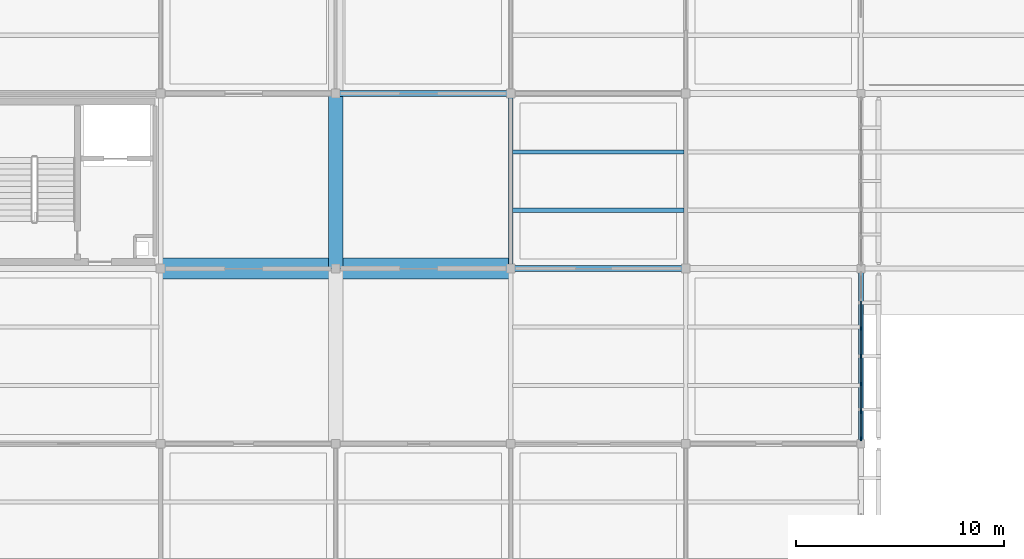
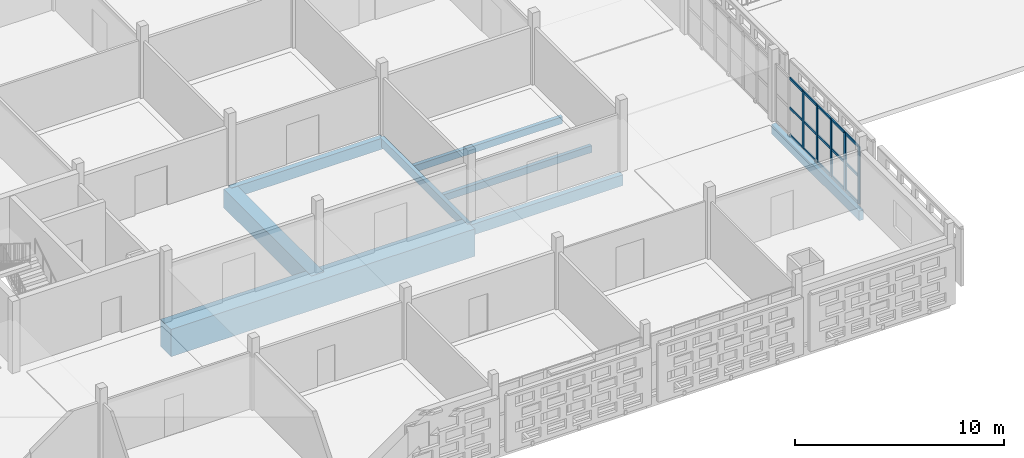
# One storey, part 20 of 166: 20 members, 8 beams, 1 element without a shape of its own.
"""IFC4 building model written with IfcOpenShell, lengths in metres."""

from ifc_helpers import new_model, si_unit, direction, frame, origin, origin_2d, place, context, subcontext, project, spatial, rectangle, extrude, material, layer, layer_set, material_profile, profile_set, type_object, element, aggregate, save


model = new_model("IFC4")

# Units and contexts
model_context = context("Model", 3, precision=1e-05, world=origin(), true_north=direction((0.0, 1.0)))
body_context = subcontext(model_context, "Body", "Model", "MODEL_VIEW")
ifc_project = project(units=[si_unit("LENGTHUNIT", "METRE"), si_unit("AREAUNIT", "SQUARE_METRE"), si_unit("VOLUMEUNIT", "CUBIC_METRE"), si_unit("PLANEANGLEUNIT", "RADIAN"), si_unit("MASSUNIT", "GRAM", prefix="KILO")], contexts=[model_context])

# Site, building, storey
site_placement = place(None, origin())
site = spatial("IfcSite", under=ifc_project, at=site_placement, CompositionType="ELEMENT")
building_placement = place(site_placement, origin())
building = spatial("IfcBuilding", under=site, at=building_placement, Name="Varnapada Polytechnic", CompositionType="ELEMENT")
storey_placement = place(building_placement, frame((0.0, 0.0, 9.60009765625)))
storey = spatial("IfcBuildingStorey", under=building, at=storey_placement, Name="L02", CompositionType="ELEMENT", Elevation=9.60009765625)

# Beams
ifc_material_1 = material(Name="Concrete C40/50", Category="concrete")
ifc_material_profile_1 = material_profile(ifc_material_1, rectangle(XDim=0.699951171875, YDim=1.10009765625, at=origin_2d()), Name="RC 700x1100")
ifc_profile_set_1 = profile_set([ifc_material_profile_1], Name="Concrete C40/50")
beam_type_1 = type_object("IfcBeamType", Name="Heavy podium primary girder BG-01 (RC 700x1100)", PredefinedType="T_BEAM", material=ifc_profile_set_1)
beam_1_placement = place(storey_placement, frame((33.60009765625, 16.800048828125, -0.800048828125), z_axis=(0.0, 1.0, 0.0), x_axis=(-1.0, 0.0, 0.0)))
element("IfcBeam", 1, at=beam_1_placement, inside=storey, type_object=beam_type_1, Name="L02 Lecture transfer tie Y3-4", PredefinedType="T_BEAM", context=body_context, shape_type="SweptSolid", body=[
    extrude(rectangle(XDim=0.699951171875, YDim=1.10009765625, at=origin_2d()), origin(), (0.0, 0.0, 1.0), 8.39990234375),
])
ifc_material_2 = material(Name="Glulam GL32h", Category="wood")
ifc_material_profile_2 = material_profile(ifc_material_2, rectangle(XDim=0.280029296875, YDim=0.639892578125, at=origin_2d()), Name="GL 280x640")
ifc_profile_set_2 = profile_set([ifc_material_profile_2], Name="Glulam GL32h")
beam_type_2 = type_object("IfcBeamType", Name="Laboratory primary glulam girder GG-02 (GL 280x640)", PredefinedType="BEAM", material=ifc_profile_set_2)
for number, where, z_axis, x_axis, name in (
    (2, (33.60009765625, 25.199951171875, -0.56005859375), (1.0, 0.0, 0.0), (0.0, 1.0, 0.0), "L02 beam X 5-6 at Y4"),
    (3, (42.0, 16.800048828125, -0.56005859375), (1.0, 0.0, 0.0), (0.0, 1.0, 0.0), "L02 beam X 6-7 at Y3"),
):
    element("IfcBeam", number, at=place(storey_placement, frame(where, z_axis=z_axis, x_axis=x_axis)), inside=storey, type_object=beam_type_2, Name=name, PredefinedType="BEAM", context=body_context, shape_type="SweptSolid", body=[
        extrude(rectangle(XDim=0.280029296875, YDim=0.639892578125, at=origin_2d()), origin(), (0.0, 0.0, 1.0), 8.39990234375),
    ])
ifc_material_profile_3 = material_profile(ifc_material_2, rectangle(XDim=0.219970703125, YDim=0.52001953125, at=origin_2d()), Name="GL 220x520")
ifc_profile_set_3 = profile_set([ifc_material_profile_3], Name="Glulam GL32h")
beam_type_3 = type_object("IfcBeamType", Name="Laboratory transverse glulam beam GB-12 (GL 220x520)", PredefinedType="BEAM", material=ifc_profile_set_3)
beam_2_placement = place(storey_placement, frame((42.0, 16.800048828125, -0.5), z_axis=(0.0, 1.0, 0.0), x_axis=(-1.0, 0.0, 0.0)))
element("IfcBeam", 4, at=beam_2_placement, inside=storey, type_object=beam_type_3, Name="L02 beam Y 3-4 at X6", PredefinedType="BEAM", context=body_context, shape_type="SweptSolid", body=[
    extrude(rectangle(XDim=0.219970703125, YDim=0.52001953125, at=origin_2d()), origin(), (0.0, 0.0, 1.0), 8.39990234375),
])
ifc_material_profile_4 = material_profile(ifc_material_1, rectangle(XDim=1.0, YDim=1.60009765625, at=origin_2d()), Name="RC 1000x1600")
ifc_profile_set_4 = profile_set([ifc_material_profile_4], Name="Concrete C40/50")
beam_type_4 = type_object("IfcBeamType", Name="Lecture theatre transfer girder TG-01 (RC 1000x1600)", PredefinedType="T_BEAM", material=ifc_profile_set_4)
beam_3_placement = place(storey_placement, frame((25.199951171875, 16.800048828125, -1.050048828125), z_axis=(1.0, 0.0, 0.0), x_axis=(0.0, 1.0, 0.0)))
element("IfcBeam", 5, at=beam_3_placement, inside=storey, type_object=beam_type_4, Name="L02 Lecture transfer girder X4-6 at Y3", PredefinedType="T_BEAM", context=body_context, shape_type="SweptSolid", body=[
    extrude(rectangle(XDim=1.0, YDim=1.60009765625, at=origin_2d()), origin(), (0.0, 0.0, 1.0), 16.800048828125),
])
ifc_material_profile_5 = material_profile(ifc_material_2, rectangle(XDim=0.199951171875, YDim=0.39990234375, at=origin_2d()), Name="GL 200x400")
ifc_profile_set_5 = profile_set([ifc_material_profile_5], Name="Glulam GL32h")
beam_type_5 = type_object("IfcBeamType", Name="Library/laboratory glulam floor joist GJ-01 (GL 200x400)", PredefinedType="JOIST", material=ifc_profile_set_5)
for number, where, z_axis, x_axis, name in (
    (6, (42.080078125, 19.60009765625, -0.440185546875), (1.0, 0.0, 0.0), (0.0, 1.0, 0.0), "L02 floor joist 6/3.1"),
    (7, (42.080078125, 22.39990234375, -0.440185546875), (1.0, 0.0, 0.0), (0.0, 1.0, 0.0), "L02 floor joist 6/3.2"),
):
    element("IfcBeam", number, at=place(storey_placement, frame(where, z_axis=z_axis, x_axis=x_axis)), inside=storey, type_object=beam_type_5, Name=name, PredefinedType="JOIST", context=body_context, shape_type="SweptSolid", body=[
        extrude(rectangle(XDim=0.199951171875, YDim=0.39990234375, at=origin_2d()), origin(), (0.0, 0.0, 1.0), 8.239990234375),
    ])

# Curtain wall, members
ifc_material_3 = material(Name="Double low-E laminated glass", Category="glass")
ifc_layer = layer(ifc_material_3, 0.179931640625)
ifc_layer_set = layer_set([ifc_layer], Name="Double low-E laminated glass")
curtain_wall_type = type_object("IfcCurtainWallType", Name="Curtain Wall CW-04", PredefinedType="NOTDEFINED", material=ifc_layer_set)
curtain_wall_placement = place(storey_placement, origin())
curtain_wall = element("IfcCurtainWall", 8, at=curtain_wall_placement, inside=storey, type_object=curtain_wall_type, Name="L02 unitised curtain wall CW-04 (155)", PredefinedType="NOTDEFINED")
ifc_material_4 = material(Name="Anodised aluminium", Category="aluminium")
ifc_material_profile_6 = material_profile(ifc_material_4, rectangle(XDim=0.06494140625, YDim=0.179931640625, at=origin_2d()), Name="ALU M65x180")
ifc_profile_set_6 = profile_set([ifc_material_profile_6], Name="Anodised aluminium")
member_type_1 = type_object("IfcMemberType", Name="Mullion M-02", PredefinedType="MULLION", material=ifc_profile_set_6)
member_1_placement = place(storey_placement, frame((58.800048828125, 13.933349609375, 0.0), z_axis=(0.0, 0.0, 1.0), x_axis=(1.0, 0.0, 0.0)))
member_1 = element("IfcMember", 9, at=member_1_placement, type_object=member_type_1, Name="CW-04 mullion 3", PredefinedType="MULLION", context=body_context, shape_type="SweptSolid", body=[
    extrude(rectangle(XDim=0.06494140625, YDim=0.179931640625, at=origin_2d()), origin(), (0.0, 0.0, 1.0), 3.35986328125),
])
member_2_placement = place(storey_placement, frame((58.800048828125, 12.60009765625, 0.0), z_axis=(0.0, 0.0, 1.0), x_axis=(1.0, 0.0, 0.0)))
member_2 = element("IfcMember", 10, at=member_2_placement, type_object=member_type_1, Name="CW-04 mullion 4", PredefinedType="MULLION", context=body_context, shape_type="SweptSolid", body=[
    extrude(rectangle(XDim=0.06494140625, YDim=0.179931640625, at=origin_2d()), origin(), (0.0, 0.0, 1.0), 3.35986328125),
])
member_3_placement = place(storey_placement, frame((58.800048828125, 11.2666015625, 0.0), z_axis=(0.0, 0.0, 1.0), x_axis=(1.0, 0.0, 0.0)))
member_3 = element("IfcMember", 11, at=member_3_placement, type_object=member_type_1, Name="CW-04 mullion 5", PredefinedType="MULLION", context=body_context, shape_type="SweptSolid", body=[
    extrude(rectangle(XDim=0.06494140625, YDim=0.179931640625, at=origin_2d()), origin(), (0.0, 0.0, 1.0), 3.35986328125),
])
member_4_placement = place(storey_placement, frame((58.800048828125, 9.933349609375, 0.0), z_axis=(0.0, 0.0, 1.0), x_axis=(1.0, 0.0, 0.0)))
member_4 = element("IfcMember", 12, at=member_4_placement, type_object=member_type_1, Name="CW-04 mullion 6", PredefinedType="MULLION", context=body_context, shape_type="SweptSolid", body=[
    extrude(rectangle(XDim=0.06494140625, YDim=0.179931640625, at=origin_2d()), origin(), (0.0, 0.0, 1.0), 3.35986328125),
])
member_5_placement = place(storey_placement, frame((58.800048828125, 8.632568359375, 0.0), z_axis=(0.0, 0.0, 1.0), x_axis=(1.0, 0.0, 0.0)))
member_5 = element("IfcMember", 13, at=member_5_placement, type_object=member_type_1, Name="CW-04 mullion 7", PredefinedType="MULLION", context=body_context, shape_type="SweptSolid", body=[
    extrude(rectangle(XDim=0.06494140625, YDim=0.179931640625, at=origin_2d()), origin(), (0.0, 0.0, 1.0), 3.35986328125),
])

# Beam
ifc_material_profile_7 = material_profile(ifc_material_2, rectangle(XDim=0.239990234375, YDim=0.56005859375, at=origin_2d()), Name="GL 240x560")
ifc_profile_set_7 = profile_set([ifc_material_profile_7], Name="Glulam GL32h")
beam_type_6 = type_object("IfcBeamType", Name="Perimeter glulam spandrel beam SP-02 (GL 240x560)", PredefinedType="SPANDREL", material=ifc_profile_set_7)
beam_4_placement = place(storey_placement, frame((58.800048828125, 8.39990234375, -0.550048828125), z_axis=(0.0, 1.0, 0.0), x_axis=(-1.0, 0.0, 0.0)))
element("IfcBeam", 14, at=beam_4_placement, inside=storey, type_object=beam_type_6, Name="L02 beam Y 2-3 at X8", PredefinedType="SPANDREL", context=body_context, shape_type="SweptSolid", body=[
    extrude(rectangle(XDim=0.239990234375, YDim=0.56005859375, at=origin_2d()), origin(), (0.0, 0.0, 1.0), 8.400146484375),
])

# Member
ifc_material_profile_8 = material_profile(ifc_material_4, rectangle(XDim=0.06494140625, YDim=0.139892578125, at=origin_2d()), Name="ALU T65x140")
ifc_profile_set_8 = profile_set([ifc_material_profile_8], Name="Anodised aluminium")
member_type_2 = type_object("IfcMemberType", Name="Transom T-02", PredefinedType="USERDEFINED", material=ifc_profile_set_8)
member_6_placement = place(storey_placement, frame((58.800048828125, 15.234130859375, 0.032470703125), z_axis=(0.0, -1.0, 0.0), x_axis=(1.0, 0.0, 0.0)))
member_6 = element("IfcMember", 15, at=member_6_placement, type_object=member_type_2, Name="CW-04 transom 2.1", ObjectType="TRANSOM", PredefinedType="USERDEFINED", context=body_context, shape_type="SweptSolid", body=[
    extrude(rectangle(XDim=0.06494140625, YDim=0.139892578125, at=origin_2d()), origin(), (0.0, 0.0, 1.0), 1.268310546875),
])

member_7_placement = place(storey_placement, frame((58.800048828125, 15.234130859375, 1.61279296875), z_axis=(0.0, -1.0, 0.0), x_axis=(1.0, 0.0, 0.0)))
member_7 = element("IfcMember", 16, at=member_7_placement, type_object=member_type_2, Name="CW-04 transom 2.2", ObjectType="TRANSOM", PredefinedType="USERDEFINED", context=body_context, shape_type="SweptSolid", body=[
    extrude(rectangle(XDim=0.06494140625, YDim=0.139892578125, at=origin_2d()), origin(), (0.0, 0.0, 1.0), 1.268310546875),
])

member_8_placement = place(storey_placement, frame((58.800048828125, 15.234130859375, 3.327392578125), z_axis=(0.0, -1.0, 0.0), x_axis=(1.0, 0.0, 0.0)))
member_8 = element("IfcMember", 17, at=member_8_placement, type_object=member_type_2, Name="CW-04 transom 2.3", ObjectType="TRANSOM", PredefinedType="USERDEFINED", context=body_context, shape_type="SweptSolid", body=[
    extrude(rectangle(XDim=0.06494140625, YDim=0.139892578125, at=origin_2d()), origin(), (0.0, 0.0, 1.0), 1.268310546875),
])

member_9_placement = place(storey_placement, frame((58.800048828125, 13.90087890625, 0.032470703125), z_axis=(0.0, -1.0, 0.0), x_axis=(1.0, 0.0, 0.0)))
member_9 = element("IfcMember", 18, at=member_9_placement, type_object=member_type_2, Name="CW-04 transom 3.1", ObjectType="TRANSOM", PredefinedType="USERDEFINED", context=body_context, shape_type="SweptSolid", body=[
    extrude(rectangle(XDim=0.06494140625, YDim=0.139892578125, at=origin_2d()), origin(), (0.0, 0.0, 1.0), 1.268310546875),
])

member_10_placement = place(storey_placement, frame((58.800048828125, 13.90087890625, 1.61279296875), z_axis=(0.0, -1.0, 0.0), x_axis=(1.0, 0.0, 0.0)))
member_10 = element("IfcMember", 19, at=member_10_placement, type_object=member_type_2, Name="CW-04 transom 3.2", ObjectType="TRANSOM", PredefinedType="USERDEFINED", context=body_context, shape_type="SweptSolid", body=[
    extrude(rectangle(XDim=0.06494140625, YDim=0.139892578125, at=origin_2d()), origin(), (0.0, 0.0, 1.0), 1.268310546875),
])

member_11_placement = place(storey_placement, frame((58.800048828125, 13.90087890625, 3.327392578125), z_axis=(0.0, -1.0, 0.0), x_axis=(1.0, 0.0, 0.0)))
member_11 = element("IfcMember", 20, at=member_11_placement, type_object=member_type_2, Name="CW-04 transom 3.3", ObjectType="TRANSOM", PredefinedType="USERDEFINED", context=body_context, shape_type="SweptSolid", body=[
    extrude(rectangle(XDim=0.06494140625, YDim=0.139892578125, at=origin_2d()), origin(), (0.0, 0.0, 1.0), 1.268310546875),
])

member_12_placement = place(storey_placement, frame((58.800048828125, 12.5673828125, 0.032470703125), z_axis=(0.0, -1.0, 0.0), x_axis=(1.0, 0.0, 0.0)))
member_12 = element("IfcMember", 21, at=member_12_placement, type_object=member_type_2, Name="CW-04 transom 4.1", ObjectType="TRANSOM", PredefinedType="USERDEFINED", context=body_context, shape_type="SweptSolid", body=[
    extrude(rectangle(XDim=0.06494140625, YDim=0.139892578125, at=origin_2d()), origin(), (0.0, 0.0, 1.0), 1.268310546875),
])

member_13_placement = place(storey_placement, frame((58.800048828125, 12.5673828125, 1.61279296875), z_axis=(0.0, -1.0, 0.0), x_axis=(1.0, 0.0, 0.0)))
member_13 = element("IfcMember", 22, at=member_13_placement, type_object=member_type_2, Name="CW-04 transom 4.2", ObjectType="TRANSOM", PredefinedType="USERDEFINED", context=body_context, shape_type="SweptSolid", body=[
    extrude(rectangle(XDim=0.06494140625, YDim=0.139892578125, at=origin_2d()), origin(), (0.0, 0.0, 1.0), 1.268310546875),
])

member_14_placement = place(storey_placement, frame((58.800048828125, 12.5673828125, 3.327392578125), z_axis=(0.0, -1.0, 0.0), x_axis=(1.0, 0.0, 0.0)))
member_14 = element("IfcMember", 23, at=member_14_placement, type_object=member_type_2, Name="CW-04 transom 4.3", ObjectType="TRANSOM", PredefinedType="USERDEFINED", context=body_context, shape_type="SweptSolid", body=[
    extrude(rectangle(XDim=0.06494140625, YDim=0.139892578125, at=origin_2d()), origin(), (0.0, 0.0, 1.0), 1.268310546875),
])

member_15_placement = place(storey_placement, frame((58.800048828125, 11.234130859375, 0.032470703125), z_axis=(0.0, -1.0, 0.0), x_axis=(1.0, 0.0, 0.0)))
member_15 = element("IfcMember", 24, at=member_15_placement, type_object=member_type_2, Name="CW-04 transom 5.1", ObjectType="TRANSOM", PredefinedType="USERDEFINED", context=body_context, shape_type="SweptSolid", body=[
    extrude(rectangle(XDim=0.06494140625, YDim=0.139892578125, at=origin_2d()), origin(), (0.0, 0.0, 1.0), 1.268310546875),
])

member_16_placement = place(storey_placement, frame((58.800048828125, 11.234130859375, 1.61279296875), z_axis=(0.0, -1.0, 0.0), x_axis=(1.0, 0.0, 0.0)))
member_16 = element("IfcMember", 25, at=member_16_placement, type_object=member_type_2, Name="CW-04 transom 5.2", ObjectType="TRANSOM", PredefinedType="USERDEFINED", context=body_context, shape_type="SweptSolid", body=[
    extrude(rectangle(XDim=0.06494140625, YDim=0.139892578125, at=origin_2d()), origin(), (0.0, 0.0, 1.0), 1.268310546875),
])

member_17_placement = place(storey_placement, frame((58.800048828125, 11.234130859375, 3.327392578125), z_axis=(0.0, -1.0, 0.0), x_axis=(1.0, 0.0, 0.0)))
member_17 = element("IfcMember", 26, at=member_17_placement, type_object=member_type_2, Name="CW-04 transom 5.3", ObjectType="TRANSOM", PredefinedType="USERDEFINED", context=body_context, shape_type="SweptSolid", body=[
    extrude(rectangle(XDim=0.06494140625, YDim=0.139892578125, at=origin_2d()), origin(), (0.0, 0.0, 1.0), 1.268310546875),
])

member_18_placement = place(storey_placement, frame((58.800048828125, 9.90087890625, 0.032470703125), z_axis=(0.0, -1.0, 0.0), x_axis=(1.0, 0.0, 0.0)))
member_18 = element("IfcMember", 27, at=member_18_placement, type_object=member_type_2, Name="CW-04 transom 6.1", ObjectType="TRANSOM", PredefinedType="USERDEFINED", context=body_context, shape_type="SweptSolid", body=[
    extrude(rectangle(XDim=0.06494140625, YDim=0.139892578125, at=origin_2d()), origin(), (0.0, 0.0, 1.0), 1.23583984375),
])

member_19_placement = place(storey_placement, frame((58.800048828125, 9.90087890625, 1.61279296875), z_axis=(0.0, -1.0, 0.0), x_axis=(1.0, 0.0, 0.0)))
member_19 = element("IfcMember", 28, at=member_19_placement, type_object=member_type_2, Name="CW-04 transom 6.2", ObjectType="TRANSOM", PredefinedType="USERDEFINED", context=body_context, shape_type="SweptSolid", body=[
    extrude(rectangle(XDim=0.06494140625, YDim=0.139892578125, at=origin_2d()), origin(), (0.0, 0.0, 1.0), 1.23583984375),
])

member_20_placement = place(storey_placement, frame((58.800048828125, 9.90087890625, 3.327392578125), z_axis=(0.0, -1.0, 0.0), x_axis=(1.0, 0.0, 0.0)))
member_20 = element("IfcMember", 29, at=member_20_placement, type_object=member_type_2, Name="CW-04 transom 6.3", ObjectType="TRANSOM", PredefinedType="USERDEFINED", context=body_context, shape_type="SweptSolid", body=[
    extrude(rectangle(XDim=0.06494140625, YDim=0.139892578125, at=origin_2d()), origin(), (0.0, 0.0, 1.0), 1.23583984375),
])

aggregate(curtain_wall, [member_1, member_2, member_3, member_4, member_5, member_6, member_7, member_8, member_9, member_10, member_11, member_12, member_13, member_14, member_15, member_16, member_17, member_18, member_19, member_20])

save(model, "model.ifc")
